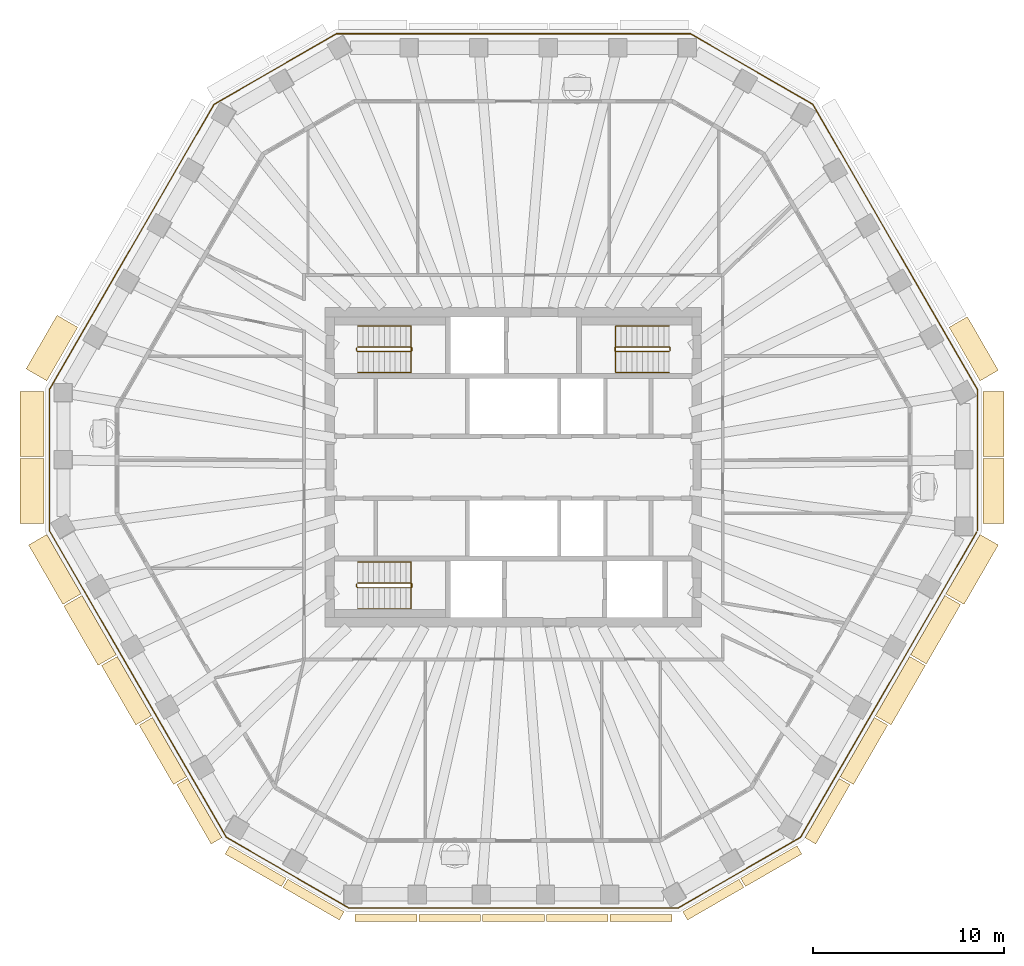
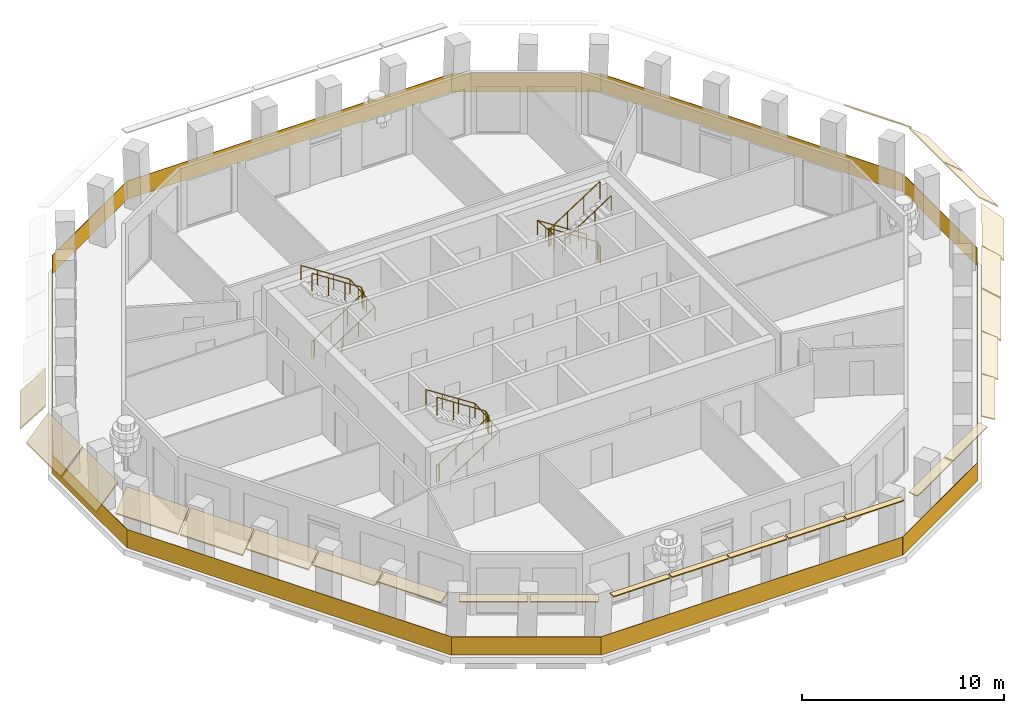
# One storey, part 8 of 11: 25 coverings, 7 railings.
"""IFC4 building model written with IfcOpenShell, lengths in metres."""

from ifc_helpers import new_model, si_unit, direction, frame, origin, origin_2d, place, context, subcontext, project, spatial, polyline, rectangle, circle, outline, extrude, material, layer, layer_set, type_object, element, save


model = new_model("IFC4")

# Units and contexts
model_context = context("Model", 3, precision=1e-05, world=origin(), true_north=direction((0.0, 1.0)))
body_context = subcontext(model_context, "Body", "Model", "MODEL_VIEW")
ifc_project = project(units=[si_unit("LENGTHUNIT", "METRE"), si_unit("AREAUNIT", "SQUARE_METRE"), si_unit("VOLUMEUNIT", "CUBIC_METRE"), si_unit("PLANEANGLEUNIT", "RADIAN"), si_unit("MASSUNIT", "GRAM", prefix="KILO")], contexts=[model_context])

# Site, building, storey
site_placement = place(None, origin())
site = spatial("IfcSite", under=ifc_project, at=site_placement, CompositionType="ELEMENT")
building_placement = place(site_placement, origin())
building = spatial("IfcBuilding", under=site, at=building_placement, Name="Frailejon Research Tower", CompositionType="ELEMENT")
storey_placement = place(building_placement, frame((0.0, 0.0, 275.0)))
storey = spatial("IfcBuildingStorey", under=building, at=storey_placement, Name="L60", CompositionType="ELEMENT", Elevation=275.0)

# Coverings
ifc_material_1 = material(Name="Precast concrete C50/60", Category="concrete")
ifc_layer_1 = layer(ifc_material_1, 0.06005859375)
ifc_layer_set_1 = layer_set([ifc_layer_1], Name="Brim blade depth 1100")
covering_type_1 = type_object("IfcCoveringType", Name="Brim blade depth 1100", PredefinedType="CLADDING", material=ifc_layer_set_1)
covering_1_placement = place(storey_placement, frame((24.564208984375, 0.452880859375, 3.85009765625), z_axis=(0.0, -1.0, 0.0), x_axis=(1.0, 0.0, 0.0)))
element("IfcCovering", 1, at=covering_1_placement, inside=storey, type_object=covering_type_1, Name="Brim blade L60", PredefinedType="CLADDING", context=body_context, shape_type="SweptSolid", body=[
    extrude(outline(polyline([(0.0, -0.078369140625), (1.10009765625, -1.001220703125), (1.10009765625, -0.923095703125), (0.0, 0.0), (0.0, -0.078369140625)])), origin(), (0.0, 0.0, 1.0), 3.40185546875),
])
covering_2_placement = place(storey_placement, frame((24.564208984375, 3.954833984375, 3.85009765625), z_axis=(0.0, -1.0, 0.0), x_axis=(1.0, 0.0, 0.0)))
element("IfcCovering", 2, at=covering_2_placement, inside=storey, type_object=covering_type_1, Name="Brim blade L60", PredefinedType="CLADDING", context=body_context, shape_type="SweptSolid", body=[
    extrude(outline(polyline([(0.0, -0.078369140625), (1.10009765625, -1.001220703125), (1.10009765625, -0.923095703125), (0.0, 0.0), (0.0, -0.078369140625)])), origin(), (0.0, 0.0, 1.0), 3.402099609375),
])
covering_3_placement = place(storey_placement, frame((22.794189453125, 7.3251953125, 3.85009765625), z_axis=(0.499992357935, -0.866029815888, 0.0), x_axis=(0.866029815888, 0.499992357935, 0.0)))
element("IfcCovering", 3, at=covering_3_placement, inside=storey, type_object=covering_type_1, Name="Brim blade L60", PredefinedType="CLADDING", context=body_context, shape_type="SweptSolid", body=[
    extrude(outline(polyline([(0.0, -0.078369140625), (1.10009765625, -1.001220703125), (1.10009765625, -0.923095703125), (0.0, 0.0), (0.0, -0.078369140625)])), origin(), (0.0, 0.0, 1.0), 3.235595703125),
])
for number, where, z_axis, x_axis, name in (
    (4, (-22.619873046875, -6.62109375, 3.85009765625), (-0.499984059056, 0.866034607097, 0.0), (-0.866034607097, -0.499984059056, 0.0), "Brim blade L60"),
    (5, (-20.77783203125, -9.8115234375, 3.85009765625), (-0.500016171859, 0.866016066756, 0.0), (-0.866016066756, -0.500016171859, 0.0), "Brim blade L60"),
    (6, (24.411865234375, -3.517333984375, 3.85009765625), (-0.499984059056, -0.866034607097, 0.0), (0.866034607097, -0.499984059056, 0.0), "Brim blade L60"),
):
    element("IfcCovering", number, at=place(storey_placement, frame(where, z_axis=z_axis, x_axis=x_axis)), inside=storey, type_object=covering_type_1, Name=name, PredefinedType="CLADDING", context=body_context, shape_type="SweptSolid", body=[
        extrude(outline(polyline([(0.0, -0.078369140625), (1.10009765625, -1.001220703125), (1.10009765625, -0.923095703125), (0.0, 0.0), (0.0, -0.078369140625)])), origin(), (0.0, 0.0, 1.0), 3.583984375),
    ])
ifc_material_2 = material(Name="Precast concrete C50/60", Category="concrete")
ifc_layer_2 = layer(ifc_material_2, 0.06005859375)
ifc_layer_set_2 = layer_set([ifc_layer_2], Name="Brim blade depth 1250")
covering_type_2 = type_object("IfcCoveringType", Name="Brim blade depth 1250", PredefinedType="CLADDING", material=ifc_layer_set_2)
covering_4_placement = place(storey_placement, frame((-24.411865234375, 4.523193359375, 3.85009765625), z_axis=(0.499992357935, 0.866029815888, 0.0), x_axis=(-0.866029815888, 0.499992357935, 0.0)))
element("IfcCovering", 7, at=covering_4_placement, inside=storey, type_object=covering_type_2, Name="Brim blade L60", PredefinedType="CLADDING", context=body_context, shape_type="SweptSolid", body=[
    extrude(outline(polyline([(0.0, -0.0888671875), (1.25, -1.452880859375), (1.25, -1.364013671875), (0.0, 0.0), (0.0, -0.0888671875)])), origin(), (0.0, 0.0, 1.0), 3.235595703125),
])
covering_5_placement = place(storey_placement, frame((-24.564208984375, 0.552734375, 3.85009765625), z_axis=(0.0, 1.0, 0.0), x_axis=(-1.0, 0.0, 0.0)))
element("IfcCovering", 8, at=covering_5_placement, inside=storey, type_object=covering_type_2, Name="Brim blade L60", PredefinedType="CLADDING", context=body_context, shape_type="SweptSolid", body=[
    extrude(outline(polyline([(0.0, -0.0888671875), (1.25, -1.452880859375), (1.25, -1.364013671875), (0.0, 0.0), (0.0, -0.0888671875)])), origin(), (0.0, 0.0, 1.0), 3.402099609375),
])
covering_6_placement = place(storey_placement, frame((-24.564208984375, -2.94921875, 3.85009765625), z_axis=(0.0, 1.0, 0.0), x_axis=(-1.0, 0.0, 0.0)))
element("IfcCovering", 9, at=covering_6_placement, inside=storey, type_object=covering_type_2, Name="Brim blade L60", PredefinedType="CLADDING", context=body_context, shape_type="SweptSolid", body=[
    extrude(outline(polyline([(0.0, -0.0888671875), (1.25, -1.452880859375), (1.25, -1.364013671875), (0.0, 0.0), (0.0, -0.0888671875)])), origin(), (0.0, 0.0, 1.0), 3.40185546875),
])
ifc_material_3 = material(Name="Precast concrete C50/60", Category="concrete")
ifc_layer_3 = layer(ifc_material_3, 0.06005859375)
ifc_layer_set_3 = layer_set([ifc_layer_3], Name="Brim blade depth 350")
covering_type_3 = type_object("IfcCoveringType", Name="Brim blade depth 350", PredefinedType="CLADDING", material=ifc_layer_set_3)
for number, where, z_axis, x_axis, name in (
    (10, (-5.05322265625, -23.40283203125, 3.85009765625), (-1.0, 0.0, 0.0), (0.0, -1.0, 0.0), "Brim blade L60"),
    (11, (-1.7177734375, -23.40283203125, 3.85009765625), (-1.0, 0.0, 0.0), (0.0, -1.0, 0.0), "Brim blade L60"),
    (12, (1.617919921875, -23.40283203125, 3.85009765625), (-1.0, 0.0, 0.0), (0.0, -1.0, 0.0), "Brim blade L60"),
    (13, (4.953369140625, -23.40283203125, 3.85009765625), (-1.0, 0.0, 0.0), (0.0, -1.0, 0.0), "Brim blade L60"),
    (14, (8.288818359375, -23.40283203125, 3.85009765625), (-1.0, 0.0, 0.0), (0.0, -1.0, 0.0), "Brim blade L60"),
):
    element("IfcCovering", number, at=place(storey_placement, frame(where, z_axis=z_axis, x_axis=x_axis)), inside=storey, type_object=covering_type_3, Name=name, PredefinedType="CLADDING", context=body_context, shape_type="SweptSolid", body=[
        extrude(outline(polyline([(0.0, -0.06005859375), (0.35009765625, -0.06005859375), (0.35009765625, 0.0), (0.0, 0.0), (0.0, -0.06005859375)])), origin(), (0.0, 0.0, 1.0), 3.235595703125),
    ])
ifc_material_4 = material(Name="Precast concrete C50/60", Category="concrete")
ifc_layer_4 = layer(ifc_material_4, 0.06005859375)
ifc_layer_set_4 = layer_set([ifc_layer_4], Name="Brim blade depth 500")
covering_type_4 = type_object("IfcCoveringType", Name="Brim blade depth 500", PredefinedType="CLADDING", material=ifc_layer_set_4)
covering_7_placement = place(storey_placement, frame((-11.889892578125, -21.49951171875, 3.85009765625), z_axis=(-0.866036272098, 0.499981175056, 0.0), x_axis=(-0.499981175056, -0.866036272098, 0.0)))
element("IfcCovering", 15, at=covering_7_placement, inside=storey, type_object=covering_type_4, Name="Brim blade L60", PredefinedType="CLADDING", context=body_context, shape_type="SweptSolid", body=[
    extrude(outline(polyline([(0.0, -0.060546875), (0.5, -0.130859375), (0.5, -0.0703125), (0.0, 0.0), (0.0, -0.060546875)])), origin(), (0.0, 0.0, 1.0), 3.40185546875),
])
for number, where, z_axis, x_axis, name in (
    (16, (-8.857177734375, -23.25048828125, 3.85009765625), (-0.866023907216, 0.500002592124, 0.0), (-0.500002592124, -0.866023907216, 0.0), "Brim blade L60"),
    (17, (11.80322265625, -21.549560546875, 3.85009765625), (-0.866023907216, -0.500002592124, 0.0), (0.500002592124, -0.866023907216, 0.0), "Brim blade L60"),
):
    element("IfcCovering", number, at=place(storey_placement, frame(where, z_axis=z_axis, x_axis=x_axis)), inside=storey, type_object=covering_type_4, Name=name, PredefinedType="CLADDING", context=body_context, shape_type="SweptSolid", body=[
        extrude(outline(polyline([(0.0, -0.060546875), (0.5, -0.130859375), (0.5, -0.0703125), (0.0, 0.0), (0.0, -0.060546875)])), origin(), (0.0, 0.0, 1.0), 3.402099609375),
    ])
covering_8_placement = place(storey_placement, frame((14.836181640625, -19.798583984375, 3.85009765625), z_axis=(-0.866036272098, -0.499981175056, 0.0), x_axis=(0.499981175056, -0.866036272098, 0.0)))
element("IfcCovering", 18, at=covering_8_placement, inside=storey, type_object=covering_type_4, Name="Brim blade L60", PredefinedType="CLADDING", context=body_context, shape_type="SweptSolid", body=[
    extrude(outline(polyline([(0.0, -0.060546875), (0.5, -0.130859375), (0.5, -0.0703125), (0.0, 0.0), (0.0, -0.060546875)])), origin(), (0.0, 0.0, 1.0), 3.40185546875),
])
ifc_material_5 = material(Name="Precast concrete C50/60", Category="concrete")
ifc_layer_5 = layer(ifc_material_5, 0.06005859375)
ifc_layer_set_5 = layer_set([ifc_layer_5], Name="Brim blade depth 650")
covering_type_5 = type_object("IfcCoveringType", Name="Brim blade depth 650", PredefinedType="CLADDING", material=ifc_layer_set_5)
for number, where, z_axis, x_axis, name in (
    (19, (-15.252197265625, -19.382568359375, 3.85009765625), (-0.499984059056, 0.866034607097, 0.0), (-0.866034607097, -0.499984059056, 0.0), "Brim blade L60"),
    (20, (17.0439453125, -16.27880859375, 3.85009765625), (-0.499984059056, -0.866034607097, 0.0), (0.866034607097, -0.499984059056, 0.0), "Brim blade L60"),
):
    element("IfcCovering", number, at=place(storey_placement, frame(where, z_axis=z_axis, x_axis=x_axis)), inside=storey, type_object=covering_type_5, Name=name, PredefinedType="CLADDING", context=body_context, shape_type="SweptSolid", body=[
        extrude(outline(polyline([(0.0, -0.0625), (0.64990234375, -0.248779296875), (0.64990234375, -0.186279296875), (0.0, 0.0), (0.0, -0.0625)])), origin(), (0.0, 0.0, 1.0), 3.583984375),
    ])
ifc_material_6 = material(Name="Precast concrete C50/60", Category="concrete")
ifc_layer_6 = layer(ifc_material_6, 0.06005859375)
ifc_layer_set_6 = layer_set([ifc_layer_6], Name="Brim blade depth 800")
covering_type_6 = type_object("IfcCoveringType", Name="Brim blade depth 800", PredefinedType="CLADDING", material=ifc_layer_set_6)
for number, where, z_axis, x_axis, name in (
    (21, (-17.093994140625, -16.192138671875, 3.85009765625), (-0.500016171859, 0.866016066756, 0.0), (-0.866016066756, -0.500016171859, 0.0), "Brim blade L60"),
    (22, (18.885986328125, -13.08837890625, 3.85009765625), (-0.500016171859, -0.866016066756, 0.0), (0.866016066756, -0.500016171859, 0.0), "Brim blade L60"),
):
    element("IfcCovering", number, at=place(storey_placement, frame(where, z_axis=z_axis, x_axis=x_axis)), inside=storey, type_object=covering_type_6, Name=name, PredefinedType="CLADDING", context=body_context, shape_type="SweptSolid", body=[
        extrude(outline(polyline([(0.0, -0.065673828125), (0.800048828125, -0.421875), (0.800048828125, -0.356201171875), (0.0, 0.0), (0.0, -0.065673828125)])), origin(), (0.0, 0.0, 1.0), 3.583984375),
    ])
ifc_material_7 = material(Name="Precast concrete C50/60", Category="concrete")
ifc_layer_7 = layer(ifc_material_7, 0.06005859375)
ifc_layer_set_7 = layer_set([ifc_layer_7], Name="Brim blade depth 950")
covering_type_7 = type_object("IfcCoveringType", Name="Brim blade depth 950", PredefinedType="CLADDING", material=ifc_layer_set_7)
for number, where, z_axis, x_axis, name in (
    (23, (-18.93603515625, -13.001953125, 3.85009765625), (-0.499984059056, 0.866034607097, 0.0), (-0.866034607097, -0.499984059056, 0.0), "Brim blade L60"),
    (24, (20.727783203125, -9.898193359375, 3.85009765625), (-0.499984059056, -0.866034607097, 0.0), (0.866034607097, -0.499984059056, 0.0), "Brim blade L60"),
    (25, (22.56982421875, -6.707763671875, 3.85009765625), (-0.500016171859, -0.866016066756, 0.0), (0.866016066756, -0.500016171859, 0.0), "Brim blade L60"),
):
    element("IfcCovering", number, at=place(storey_placement, frame(where, z_axis=z_axis, x_axis=x_axis)), inside=storey, type_object=covering_type_7, Name=name, PredefinedType="CLADDING", context=body_context, shape_type="SweptSolid", body=[
        extrude(outline(polyline([(0.0, -0.07080078125), (0.949951171875, -0.664306640625), (0.949951171875, -0.593505859375), (0.0, 0.0), (0.0, -0.07080078125)])), origin(), (0.0, 0.0, 1.0), 3.583984375),
    ])

# Railings
ifc_material_8 = material(Name="Laminated glass balustrade", Category="glass")
railing_type_1 = type_object("IfcRailingType", Name="Glass guard 1100", PredefinedType="GUARDRAIL", material=ifc_material_8)
railing_1_placement = place(storey_placement, frame((24.2734375, -3.32080078125, 0.0)))
element("IfcRailing", 26, at=railing_1_placement, inside=storey, type_object=railing_type_1, Name="Loggia guard L60", PredefinedType="GUARDRAIL", context=body_context, shape_type="SweptSolid", body=[
    extrude(rectangle(XDim=7.39599609375, YDim=0.030029296875, at=origin_2d()), frame((0.0, 3.697998046875, 0.0), z_axis=(0.0, 0.0, 1.0), x_axis=(0.0, 1.0, 0.0)), (0.0, 0.0, 1.0), 1.10009765625),
    extrude(rectangle(XDim=17.215087890625, YDim=0.030029296875, at=origin_2d()), frame((-4.3037109375, 14.850341796875, 0.0), z_axis=(0.0, 0.0, 1.0), x_axis=(-0.49999498453, 0.866028299448, 0.0)), (0.0, 0.0, 1.0), 1.10009765625),
    extrude(rectangle(XDim=7.396240234375, YDim=0.030029296875, at=origin_2d()), frame((-11.81005859375, 24.15380859375, 0.0), z_axis=(0.0, 0.0, 1.0), x_axis=(-0.866030573133, 0.49999104632, 0.0)), (0.0, 0.0, 1.0), 1.10009765625),
    extrude(rectangle(XDim=18.521484375, YDim=0.030029296875, at=origin_2d()), frame((-24.2734375, 26.002685546875, 0.0), z_axis=(0.0, 0.0, 1.0), x_axis=(-1.0, 0.0, 0.0)), (0.0, 0.0, 1.0), 1.10009765625),
    extrude(rectangle(XDim=7.396240234375, YDim=0.030029296875, at=origin_2d()), frame((-36.73681640625, 24.15380859375, 0.0), z_axis=(0.0, 0.0, 1.0), x_axis=(-0.866030573133, -0.49999104632, 0.0)), (0.0, 0.0, 1.0), 1.10009765625),
    extrude(rectangle(XDim=17.215087890625, YDim=0.030029296875, at=origin_2d()), frame((-44.2431640625, 14.850341796875, 0.0), z_axis=(0.0, 0.0, 1.0), x_axis=(-0.49999498453, -0.866028299448, 0.0)), (0.0, 0.0, 1.0), 1.10009765625),
    extrude(rectangle(XDim=7.39599609375, YDim=0.030029296875, at=origin_2d()), frame((-48.546875, 3.697998046875, 0.0), z_axis=(0.0, 0.0, 1.0), x_axis=(0.0, -1.0, 0.0)), (0.0, 0.0, 1.0), 1.10009765625),
    extrude(rectangle(XDim=18.521484375, YDim=0.030029296875, at=origin_2d()), frame((-43.91650390625, -8.02001953125, 0.0), z_axis=(0.0, 0.0, 1.0), x_axis=(0.5000008632, -0.866024905415, 0.0)), (0.0, 0.0, 1.0), 1.10009765625),
    extrude(rectangle(XDim=7.396240234375, YDim=0.030029296875, at=origin_2d()), frame((-36.08349609375, -17.88916015625, 0.0), z_axis=(0.0, 0.0, 1.0), x_axis=(0.866016279763, -0.500015802937, 0.0)), (0.0, 0.0, 1.0), 1.10009765625),
    extrude(rectangle(XDim=17.21484375, YDim=0.030029296875, at=origin_2d()), frame((-24.2734375, -19.73828125, 0.0), z_axis=(0.0, 0.0, 1.0), x_axis=(1.0, 0.0, 0.0)), (0.0, 0.0, 1.0), 1.10009765625),
    extrude(rectangle(XDim=7.396240234375, YDim=0.030029296875, at=origin_2d()), frame((-12.46337890625, -17.88916015625, 0.0), z_axis=(0.0, 0.0, 1.0), x_axis=(0.866016279763, 0.500015802937, 0.0)), (0.0, 0.0, 1.0), 1.10009765625),
    extrude(rectangle(XDim=18.451171875, YDim=0.030029296875, at=origin_2d()), frame((-4.64794921875, -8.05029296875, 0.0), z_axis=(0.0, 0.0, 1.0), x_axis=(0.499998486937, 0.86602627735, 0.0)), (0.0, 0.0, 1.0), 1.10009765625),
])
ifc_material_9 = material(Name="Stainless steel", Category="steel")
railing_type_2 = type_object("IfcRailingType", Name="Stair guard 1100", PredefinedType="GUARDRAIL", material=ifc_material_9)
railing_2_placement = place(storey_placement, frame((-8.199951171875, 6.25, 0.0)))
element("IfcRailing", 27, at=railing_2_placement, inside=storey, type_object=railing_type_2, Name="L60 ST1 stair guard 1", PredefinedType="GUARDRAIL", context=body_context, shape_type="SweptSolid", body=[
    extrude(circle(Radius=0.02392578125, at=origin_2d()), frame((0.0, 0.0, 1.076171875), z_axis=(0.0, -1.0, 0.0), x_axis=(1.0, 0.0, 0.0)), (0.0, 0.0, 1.0), 0.14990234375),
    extrude(circle(Radius=0.02392578125, at=origin_2d()), frame((0.0, -0.14990234375, 1.076171875), z_axis=(0.256435381639, -0.256435381639, 0.931923704005), x_axis=(0.707106781187, 0.707106781187, 0.0)), (0.0, 0.0, 1.0), 0.195068359375),
    extrude(circle(Radius=0.02392578125, at=origin_2d()), frame((0.050048828125, -0.199951171875, 1.2578125), z_axis=(0.83868413941, 0.0, 0.544618136222), x_axis=(0.0, 1.0, 0.0)), (0.0, 0.0, 1.0), 3.33837890625),
    extrude(circle(Radius=0.02392578125, at=origin_2d()), frame((2.849853515625, -0.199951171875, 3.076171875), z_axis=(0.707106781187, 0.707106781187, 0.0), x_axis=(-0.707106781187, 0.707106781187, 0.0)), (0.0, 0.0, 1.0), 0.07080078125),
    extrude(circle(Radius=0.02392578125, at=origin_2d()), frame((2.89990234375, -0.14990234375, 3.076171875), z_axis=(0.0, 1.0, 0.0), x_axis=(-1.0, 0.0, 0.0)), (0.0, 0.0, 1.0), 0.14990234375),
    extrude(circle(Radius=0.02392578125, at=origin_2d()), frame((2.89990234375, 0.0, 3.076171875), z_axis=(-0.256435381639, 0.256435381639, 0.931923704005), x_axis=(-0.707106781187, -0.707106781187, 0.0)), (0.0, 0.0, 1.0), 0.195068359375),
    extrude(circle(Radius=0.02392578125, at=origin_2d()), frame((2.849853515625, 0.050048828125, 3.2578125), z_axis=(-0.83868413941, 0.0, 0.544618136222), x_axis=(0.0, -1.0, 0.0)), (0.0, 0.0, 1.0), 3.33837890625),
    extrude(circle(Radius=0.02099609375, at=origin_2d()), origin(), (0.0, 0.0, 1.0), 1.052001953125),
    extrude(circle(Radius=0.02099609375, at=origin_2d()), frame((0.0, -0.14990234375, 0.0)), (0.0, 0.0, 1.0), 1.052001953125),
    extrude(circle(Radius=0.02099609375, at=origin_2d()), frame((0.050048828125, -0.199951171875, 0.181884765625)), (0.0, 0.0, 1.0), 1.052001953125),
    extrude(circle(Radius=0.02099609375, at=origin_2d()), frame((0.9833984375, -0.199951171875, 0.787841796875)), (0.0, 0.0, 1.0), 1.052001953125),
    extrude(circle(Radius=0.02099609375, at=origin_2d()), frame((1.91650390625, -0.199951171875, 1.39404296875)), (0.0, 0.0, 1.0), 1.052001953125),
    extrude(circle(Radius=0.02099609375, at=origin_2d()), frame((2.849853515625, -0.199951171875, 2.0)), (0.0, 0.0, 1.0), 1.052001953125),
    extrude(circle(Radius=0.02099609375, at=origin_2d()), frame((2.89990234375, -0.14990234375, 2.0)), (0.0, 0.0, 1.0), 1.052001953125),
    extrude(circle(Radius=0.02099609375, at=origin_2d()), frame((2.89990234375, 0.0, 2.0)), (0.0, 0.0, 1.0), 1.052001953125),
    extrude(circle(Radius=0.02099609375, at=origin_2d()), frame((2.849853515625, 0.050048828125, 2.181884765625)), (0.0, 0.0, 1.0), 1.052001953125),
    extrude(circle(Radius=0.02099609375, at=origin_2d()), frame((1.91650390625, 0.050048828125, 2.787841796875)), (0.0, 0.0, 1.0), 1.052001953125),
    extrude(circle(Radius=0.02099609375, at=origin_2d()), frame((0.9833984375, 0.050048828125, 3.39404296875)), (0.0, 0.0, 1.0), 1.052001953125),
    extrude(circle(Radius=0.02099609375, at=origin_2d()), frame((0.050048828125, 0.050048828125, 4.0)), (0.0, 0.0, 1.0), 1.052001953125),
])
railing_3_placement = place(storey_placement, frame((-8.199951171875, -6.10009765625, 0.0)))
element("IfcRailing", 28, at=railing_3_placement, inside=storey, type_object=railing_type_2, Name="L60 ST2 stair guard 1", PredefinedType="GUARDRAIL", context=body_context, shape_type="SweptSolid", body=[
    extrude(circle(Radius=0.02392578125, at=origin_2d()), frame((0.0, 0.0, 1.076171875), z_axis=(0.0, -1.0, 0.0), x_axis=(1.0, 0.0, 0.0)), (0.0, 0.0, 1.0), 0.14990234375),
    extrude(circle(Radius=0.02392578125, at=origin_2d()), frame((0.0, -0.14990234375, 1.076171875), z_axis=(0.256435381639, -0.256435381639, 0.931923704005), x_axis=(0.707106781187, 0.707106781187, 0.0)), (0.0, 0.0, 1.0), 0.195068359375),
    extrude(circle(Radius=0.02392578125, at=origin_2d()), frame((0.050048828125, -0.199951171875, 1.2578125), z_axis=(0.83868413941, 0.0, 0.544618136222), x_axis=(0.0, 1.0, 0.0)), (0.0, 0.0, 1.0), 3.33837890625),
    extrude(circle(Radius=0.02392578125, at=origin_2d()), frame((2.849853515625, -0.199951171875, 3.076171875), z_axis=(0.707106781187, 0.707106781187, 0.0), x_axis=(-0.707106781187, 0.707106781187, 0.0)), (0.0, 0.0, 1.0), 0.07080078125),
    extrude(circle(Radius=0.02392578125, at=origin_2d()), frame((2.89990234375, -0.14990234375, 3.076171875), z_axis=(0.0, 1.0, 0.0), x_axis=(-1.0, 0.0, 0.0)), (0.0, 0.0, 1.0), 0.14990234375),
    extrude(circle(Radius=0.02392578125, at=origin_2d()), frame((2.89990234375, 0.0, 3.076171875), z_axis=(-0.256435381639, 0.256435381639, 0.931923704005), x_axis=(-0.707106781187, -0.707106781187, 0.0)), (0.0, 0.0, 1.0), 0.195068359375),
    extrude(circle(Radius=0.02392578125, at=origin_2d()), frame((2.849853515625, 0.050048828125, 3.2578125), z_axis=(-0.83868413941, 0.0, 0.544618136222), x_axis=(0.0, -1.0, 0.0)), (0.0, 0.0, 1.0), 3.33837890625),
    extrude(circle(Radius=0.02099609375, at=origin_2d()), origin(), (0.0, 0.0, 1.0), 1.052001953125),
    extrude(circle(Radius=0.02099609375, at=origin_2d()), frame((0.0, -0.14990234375, 0.0)), (0.0, 0.0, 1.0), 1.052001953125),
    extrude(circle(Radius=0.02099609375, at=origin_2d()), frame((0.050048828125, -0.199951171875, 0.181884765625)), (0.0, 0.0, 1.0), 1.052001953125),
    extrude(circle(Radius=0.02099609375, at=origin_2d()), frame((0.9833984375, -0.199951171875, 0.787841796875)), (0.0, 0.0, 1.0), 1.052001953125),
    extrude(circle(Radius=0.02099609375, at=origin_2d()), frame((1.91650390625, -0.199951171875, 1.39404296875)), (0.0, 0.0, 1.0), 1.052001953125),
    extrude(circle(Radius=0.02099609375, at=origin_2d()), frame((2.849853515625, -0.199951171875, 2.0)), (0.0, 0.0, 1.0), 1.052001953125),
    extrude(circle(Radius=0.02099609375, at=origin_2d()), frame((2.89990234375, -0.14990234375, 2.0)), (0.0, 0.0, 1.0), 1.052001953125),
    extrude(circle(Radius=0.02099609375, at=origin_2d()), frame((2.89990234375, 0.0, 2.0)), (0.0, 0.0, 1.0), 1.052001953125),
    extrude(circle(Radius=0.02099609375, at=origin_2d()), frame((2.849853515625, 0.050048828125, 2.181884765625)), (0.0, 0.0, 1.0), 1.052001953125),
    extrude(circle(Radius=0.02099609375, at=origin_2d()), frame((1.91650390625, 0.050048828125, 2.787841796875)), (0.0, 0.0, 1.0), 1.052001953125),
    extrude(circle(Radius=0.02099609375, at=origin_2d()), frame((0.9833984375, 0.050048828125, 3.39404296875)), (0.0, 0.0, 1.0), 1.052001953125),
    extrude(circle(Radius=0.02099609375, at=origin_2d()), frame((0.050048828125, 0.050048828125, 4.0)), (0.0, 0.0, 1.0), 1.052001953125),
])
railing_4_placement = place(storey_placement, frame((8.199951171875, 6.10009765625, 0.0)))
element("IfcRailing", 29, at=railing_4_placement, inside=storey, type_object=railing_type_2, Name="L60 ST3 stair guard 1", PredefinedType="GUARDRAIL", context=body_context, shape_type="SweptSolid", body=[
    extrude(circle(Radius=0.02392578125, at=origin_2d()), frame((0.0, 0.0, 1.076171875), z_axis=(0.0, 1.0, 0.0), x_axis=(-1.0, 0.0, 0.0)), (0.0, 0.0, 1.0), 0.14990234375),
    extrude(circle(Radius=0.02392578125, at=origin_2d()), frame((0.0, 0.14990234375, 1.076171875), z_axis=(-0.256435381639, 0.256435381639, 0.931923704005), x_axis=(-0.707106781187, -0.707106781187, 0.0)), (0.0, 0.0, 1.0), 0.195068359375),
    extrude(circle(Radius=0.02392578125, at=origin_2d()), frame((-0.050048828125, 0.199951171875, 1.2578125), z_axis=(-0.83868413941, 0.0, 0.544618136222), x_axis=(0.0, -1.0, 0.0)), (0.0, 0.0, 1.0), 3.33837890625),
    extrude(circle(Radius=0.02392578125, at=origin_2d()), frame((-2.849853515625, 0.199951171875, 3.076171875), z_axis=(-0.707106781187, -0.707106781187, 0.0), x_axis=(0.707106781187, -0.707106781187, 0.0)), (0.0, 0.0, 1.0), 0.07080078125),
    extrude(circle(Radius=0.02392578125, at=origin_2d()), frame((-2.89990234375, 0.14990234375, 3.076171875), z_axis=(0.0, -1.0, 0.0), x_axis=(1.0, 0.0, 0.0)), (0.0, 0.0, 1.0), 0.14990234375),
    extrude(circle(Radius=0.02392578125, at=origin_2d()), frame((-2.89990234375, 0.0, 3.076171875), z_axis=(0.256435381639, -0.256435381639, 0.931923704005), x_axis=(0.707106781187, 0.707106781187, 0.0)), (0.0, 0.0, 1.0), 0.195068359375),
    extrude(circle(Radius=0.02392578125, at=origin_2d()), frame((-2.849853515625, -0.050048828125, 3.2578125), z_axis=(0.83868413941, 0.0, 0.544618136222), x_axis=(0.0, 1.0, 0.0)), (0.0, 0.0, 1.0), 3.33837890625),
    extrude(circle(Radius=0.02099609375, at=origin_2d()), origin(), (0.0, 0.0, 1.0), 1.052001953125),
    extrude(circle(Radius=0.02099609375, at=origin_2d()), frame((0.0, 0.14990234375, 0.0)), (0.0, 0.0, 1.0), 1.052001953125),
    extrude(circle(Radius=0.02099609375, at=origin_2d()), frame((-0.050048828125, 0.199951171875, 0.181884765625)), (0.0, 0.0, 1.0), 1.052001953125),
    extrude(circle(Radius=0.02099609375, at=origin_2d()), frame((-0.9833984375, 0.199951171875, 0.787841796875)), (0.0, 0.0, 1.0), 1.052001953125),
    extrude(circle(Radius=0.02099609375, at=origin_2d()), frame((-1.91650390625, 0.199951171875, 1.39404296875)), (0.0, 0.0, 1.0), 1.052001953125),
    extrude(circle(Radius=0.02099609375, at=origin_2d()), frame((-2.849853515625, 0.199951171875, 2.0)), (0.0, 0.0, 1.0), 1.052001953125),
    extrude(circle(Radius=0.02099609375, at=origin_2d()), frame((-2.89990234375, 0.14990234375, 2.0)), (0.0, 0.0, 1.0), 1.052001953125),
    extrude(circle(Radius=0.02099609375, at=origin_2d()), frame((-2.89990234375, 0.0, 2.0)), (0.0, 0.0, 1.0), 1.052001953125),
    extrude(circle(Radius=0.02099609375, at=origin_2d()), frame((-2.849853515625, -0.050048828125, 2.181884765625)), (0.0, 0.0, 1.0), 1.052001953125),
    extrude(circle(Radius=0.02099609375, at=origin_2d()), frame((-1.91650390625, -0.050048828125, 2.787841796875)), (0.0, 0.0, 1.0), 1.052001953125),
    extrude(circle(Radius=0.02099609375, at=origin_2d()), frame((-0.9833984375, -0.050048828125, 3.39404296875)), (0.0, 0.0, 1.0), 1.052001953125),
    extrude(circle(Radius=0.02099609375, at=origin_2d()), frame((-0.050048828125, -0.050048828125, 4.0)), (0.0, 0.0, 1.0), 1.052001953125),
])
ifc_material_10 = material(Name="Stainless steel", Category="steel")
railing_type_3 = type_object("IfcRailingType", Name="Stair handrail 900", PredefinedType="HANDRAIL", material=ifc_material_10)
railing_5_placement = place(storey_placement, frame((-8.14990234375, 4.949951171875, 0.181884765625)))
element("IfcRailing", 30, at=railing_5_placement, inside=storey, type_object=railing_type_3, Name="L60 ST1 stair handrail 1", PredefinedType="HANDRAIL", context=body_context, shape_type="SweptSolid", body=[
    extrude(circle(Radius=0.02392578125, at=origin_2d()), frame((0.0, 0.0, 0.8759765625), z_axis=(0.83868413941, 0.0, 0.544618136222), x_axis=(0.0, 1.0, 0.0)), (0.0, 0.0, 1.0), 3.33837890625),
    extrude(circle(Radius=0.02392578125, at=origin_2d()), frame((2.7998046875, 0.0, 2.69384765625), z_axis=(0.0, 0.997255538948, 0.074036410216), x_axis=(-1.0, 0.0, 0.0)), (0.0, 0.0, 1.0), 2.456787109375),
    extrude(circle(Radius=0.02392578125, at=origin_2d()), frame((2.7998046875, 2.449951171875, 2.8759765625), z_axis=(-0.83868413941, 0.0, 0.544618136222), x_axis=(0.0, -1.0, 0.0)), (0.0, 0.0, 1.0), 3.33837890625),
    extrude(circle(Radius=0.02099609375, at=origin_2d()), origin(), (0.0, 0.0, 1.0), 0.851806640625),
    extrude(circle(Radius=0.02099609375, at=origin_2d()), frame((0.933349609375, 0.0, 0.60595703125)), (0.0, 0.0, 1.0), 0.851806640625),
    extrude(circle(Radius=0.02099609375, at=origin_2d()), frame((1.866455078125, 0.0, 1.212158203125)), (0.0, 0.0, 1.0), 0.851806640625),
    extrude(circle(Radius=0.02099609375, at=origin_2d()), frame((2.7998046875, 0.0, 1.818115234375)), (0.0, 0.0, 1.0), 0.851806640625),
    extrude(circle(Radius=0.02099609375, at=origin_2d()), frame((2.7998046875, 0.816650390625, 1.878662109375)), (0.0, 0.0, 1.0), 0.851806640625),
    extrude(circle(Radius=0.02099609375, at=origin_2d()), frame((2.7998046875, 1.63330078125, 1.939453125)), (0.0, 0.0, 1.0), 0.851806640625),
    extrude(circle(Radius=0.02099609375, at=origin_2d()), frame((2.7998046875, 2.449951171875, 2.0)), (0.0, 0.0, 1.0), 0.851806640625),
    extrude(circle(Radius=0.02099609375, at=origin_2d()), frame((1.866455078125, 2.449951171875, 2.60595703125)), (0.0, 0.0, 1.0), 0.851806640625),
    extrude(circle(Radius=0.02099609375, at=origin_2d()), frame((0.933349609375, 2.449951171875, 3.212158203125)), (0.0, 0.0, 1.0), 0.851806640625),
    extrude(circle(Radius=0.02099609375, at=origin_2d()), frame((0.0, 2.449951171875, 3.818115234375)), (0.0, 0.0, 1.0), 0.851806640625),
])
railing_6_placement = place(storey_placement, frame((-8.14990234375, -7.39990234375, 0.181884765625)))
element("IfcRailing", 31, at=railing_6_placement, inside=storey, type_object=railing_type_3, Name="L60 ST2 stair handrail 1", PredefinedType="HANDRAIL", context=body_context, shape_type="SweptSolid", body=[
    extrude(circle(Radius=0.02392578125, at=origin_2d()), frame((0.0, 0.0, 0.8759765625), z_axis=(0.83868413941, 0.0, 0.544618136222), x_axis=(0.0, 1.0, 0.0)), (0.0, 0.0, 1.0), 3.33837890625),
    extrude(circle(Radius=0.02392578125, at=origin_2d()), frame((2.7998046875, 0.0, 2.69384765625), z_axis=(0.0, 0.997255538948, 0.074036410216), x_axis=(-1.0, 0.0, 0.0)), (0.0, 0.0, 1.0), 2.456787109375),
    extrude(circle(Radius=0.02392578125, at=origin_2d()), frame((2.7998046875, 2.449951171875, 2.8759765625), z_axis=(-0.83868413941, 0.0, 0.544618136222), x_axis=(0.0, -1.0, 0.0)), (0.0, 0.0, 1.0), 3.33837890625),
    extrude(circle(Radius=0.02099609375, at=origin_2d()), origin(), (0.0, 0.0, 1.0), 0.851806640625),
    extrude(circle(Radius=0.02099609375, at=origin_2d()), frame((0.933349609375, 0.0, 0.60595703125)), (0.0, 0.0, 1.0), 0.851806640625),
    extrude(circle(Radius=0.02099609375, at=origin_2d()), frame((1.866455078125, 0.0, 1.212158203125)), (0.0, 0.0, 1.0), 0.851806640625),
    extrude(circle(Radius=0.02099609375, at=origin_2d()), frame((2.7998046875, 0.0, 1.818115234375)), (0.0, 0.0, 1.0), 0.851806640625),
    extrude(circle(Radius=0.02099609375, at=origin_2d()), frame((2.7998046875, 0.816650390625, 1.878662109375)), (0.0, 0.0, 1.0), 0.851806640625),
    extrude(circle(Radius=0.02099609375, at=origin_2d()), frame((2.7998046875, 1.63330078125, 1.939453125)), (0.0, 0.0, 1.0), 0.851806640625),
    extrude(circle(Radius=0.02099609375, at=origin_2d()), frame((2.7998046875, 2.449951171875, 2.0)), (0.0, 0.0, 1.0), 0.851806640625),
    extrude(circle(Radius=0.02099609375, at=origin_2d()), frame((1.866455078125, 2.449951171875, 2.60595703125)), (0.0, 0.0, 1.0), 0.851806640625),
    extrude(circle(Radius=0.02099609375, at=origin_2d()), frame((0.933349609375, 2.449951171875, 3.212158203125)), (0.0, 0.0, 1.0), 0.851806640625),
    extrude(circle(Radius=0.02099609375, at=origin_2d()), frame((0.0, 2.449951171875, 3.818115234375)), (0.0, 0.0, 1.0), 0.851806640625),
])
railing_7_placement = place(storey_placement, frame((8.14990234375, 7.39990234375, 0.181884765625)))
element("IfcRailing", 32, at=railing_7_placement, inside=storey, type_object=railing_type_3, Name="L60 ST3 stair handrail 1", PredefinedType="HANDRAIL", context=body_context, shape_type="SweptSolid", body=[
    extrude(circle(Radius=0.02392578125, at=origin_2d()), frame((0.0, 0.0, 0.8759765625), z_axis=(-0.83868413941, 0.0, 0.544618136222), x_axis=(0.0, -1.0, 0.0)), (0.0, 0.0, 1.0), 3.33837890625),
    extrude(circle(Radius=0.02392578125, at=origin_2d()), frame((-2.7998046875, 0.0, 2.69384765625), z_axis=(0.0, -0.997255538948, 0.074036410216), x_axis=(1.0, 0.0, 0.0)), (0.0, 0.0, 1.0), 2.456787109375),
    extrude(circle(Radius=0.02392578125, at=origin_2d()), frame((-2.7998046875, -2.449951171875, 2.8759765625), z_axis=(0.83868413941, 0.0, 0.544618136222), x_axis=(0.0, 1.0, 0.0)), (0.0, 0.0, 1.0), 3.33837890625),
    extrude(circle(Radius=0.02099609375, at=origin_2d()), origin(), (0.0, 0.0, 1.0), 0.851806640625),
    extrude(circle(Radius=0.02099609375, at=origin_2d()), frame((-0.933349609375, 0.0, 0.60595703125)), (0.0, 0.0, 1.0), 0.851806640625),
    extrude(circle(Radius=0.02099609375, at=origin_2d()), frame((-1.866455078125, 0.0, 1.212158203125)), (0.0, 0.0, 1.0), 0.851806640625),
    extrude(circle(Radius=0.02099609375, at=origin_2d()), frame((-2.7998046875, 0.0, 1.818115234375)), (0.0, 0.0, 1.0), 0.851806640625),
    extrude(circle(Radius=0.02099609375, at=origin_2d()), frame((-2.7998046875, -0.816650390625, 1.878662109375)), (0.0, 0.0, 1.0), 0.851806640625),
    extrude(circle(Radius=0.02099609375, at=origin_2d()), frame((-2.7998046875, -1.63330078125, 1.939453125)), (0.0, 0.0, 1.0), 0.851806640625),
    extrude(circle(Radius=0.02099609375, at=origin_2d()), frame((-2.7998046875, -2.449951171875, 2.0)), (0.0, 0.0, 1.0), 0.851806640625),
    extrude(circle(Radius=0.02099609375, at=origin_2d()), frame((-1.866455078125, -2.449951171875, 2.60595703125)), (0.0, 0.0, 1.0), 0.851806640625),
    extrude(circle(Radius=0.02099609375, at=origin_2d()), frame((-0.933349609375, -2.449951171875, 3.212158203125)), (0.0, 0.0, 1.0), 0.851806640625),
    extrude(circle(Radius=0.02099609375, at=origin_2d()), frame((0.0, -2.449951171875, 3.818115234375)), (0.0, 0.0, 1.0), 0.851806640625),
])

save(model, "model.ifc")
